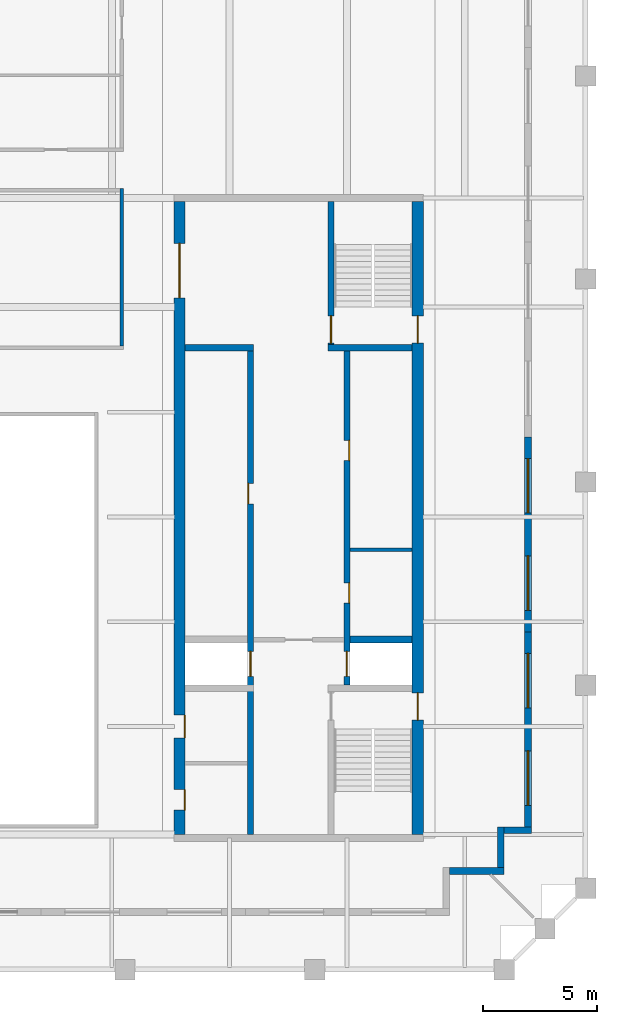
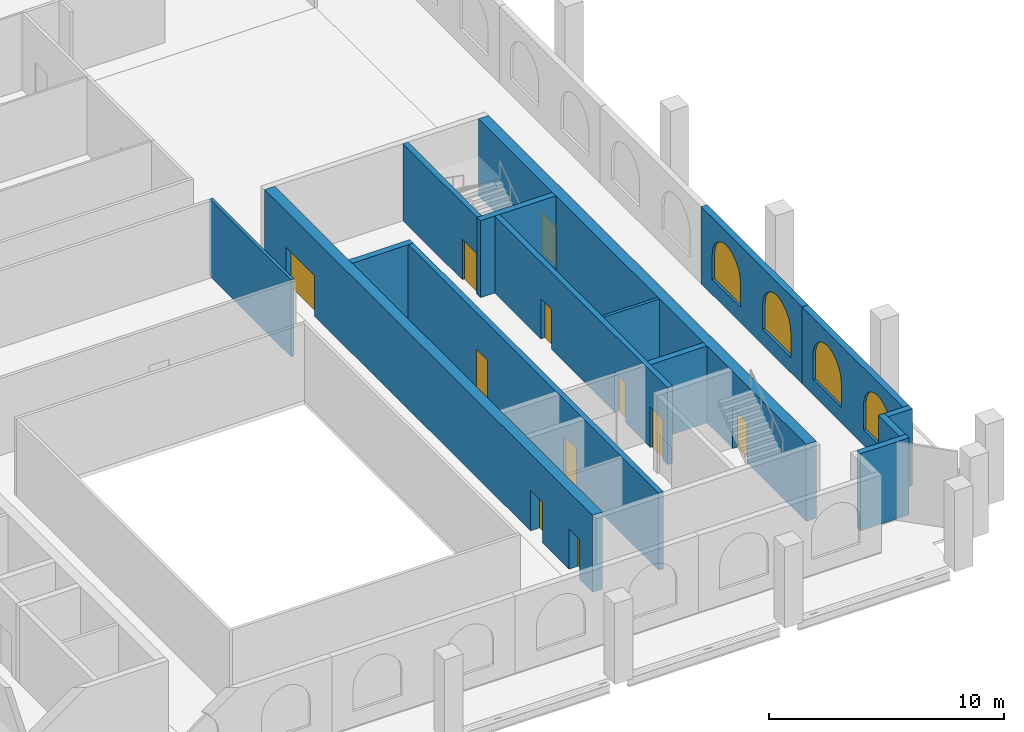
# One storey, part 5 of 9: 15 walls, 11 doors, 4 windows, 15 openings.
"""IFC4 building model written with IfcOpenShell, lengths in metres."""

from ifc_helpers import new_model, si_unit, direction, frame, frame_2d, origin, place, context, subcontext, project, spatial, polyline, rectangle, outline, extrude, material, layer, layer_set, type_object, element, fill, save


model = new_model("IFC4")

# Units and contexts
model_context = context("Model", 3, precision=1e-05, world=origin(), true_north=direction((0.0, 1.0)))
body_context = subcontext(model_context, "Body", "Model", "MODEL_VIEW")
ifc_project = project(units=[si_unit("LENGTHUNIT", "METRE"), si_unit("AREAUNIT", "SQUARE_METRE"), si_unit("VOLUMEUNIT", "CUBIC_METRE"), si_unit("PLANEANGLEUNIT", "RADIAN"), si_unit("MASSUNIT", "GRAM", prefix="KILO")], contexts=[model_context])

# Site, building, storey
site_placement = place(None, origin())
site = spatial("IfcSite", under=ifc_project, at=site_placement, CompositionType="ELEMENT")
building_placement = place(site_placement, origin())
building = spatial("IfcBuilding", under=site, at=building_placement, Name="Ogive Exchange Tower", CompositionType="ELEMENT")
storey_placement = place(building_placement, frame((0.0, 0.0, 373.199951171875)))
storey = spatial("IfcBuildingStorey", under=building, at=storey_placement, Name="C02", CompositionType="ELEMENT", Elevation=373.199951171875)

# Walls
ifc_material_1 = material(Name="Gypsum board partition")
ifc_layer_1 = layer(ifc_material_1, 0.14990234375)
ifc_layer_set_1 = layer_set([ifc_layer_1], Name="Core room partition 150 gypsum")
wall_type_1 = type_object("IfcWallType", Name="Core room partition 150 gypsum", PredefinedType="PARTITIONING", material=ifc_layer_set_1)
wall_1_placement = place(storey_placement, frame((18.25, 10.10009765625, 0.0), z_axis=(0.0, 0.0, 1.0), x_axis=(1.0, 0.0, 0.0)))
element("IfcWall", 1, at=wall_1_placement, inside=storey, type_object=wall_type_1, Name="E row A bay partition 1-1", PredefinedType="PARTITIONING", context=body_context, shape_type="SweptSolid", body=[
    extrude(rectangle(XDim=2.75, YDim=0.14990234375, at=frame_2d((1.375, 0.0))), origin(), (0.0, 0.0, 1.0), 4.0),
])
ifc_layer_2 = layer(ifc_material_1, 0.300048828125)
ifc_layer_set_2 = layer_set([ifc_layer_2], Name="Core room partition 300 gypsum")
wall_type_2 = type_object("IfcWallType", Name="Core room partition 300 gypsum", PredefinedType="PARTITIONING", material=ifc_layer_set_2)
wall_2_placement = place(storey_placement, frame((11.0, 19.0, 0.0), z_axis=(0.0, 0.0, 1.0), x_axis=(1.0, 0.0, 0.0)))
element("IfcWall", 2, at=wall_2_placement, inside=storey, type_object=wall_type_2, Name="E row B room end wall 7", PredefinedType="PARTITIONING", context=body_context, shape_type="SweptSolid", body=[
    extrude(rectangle(XDim=3.0, YDim=0.300048828125, at=frame_2d((1.5, 0.0))), origin(), (0.0, 0.0, 1.0), 4.0),
])
ifc_material_2 = material(Name="Fire partition EI 60 150")
ifc_layer_3 = layer(ifc_material_2, 0.14990234375)
ifc_layer_set_3 = layer_set([ifc_layer_3], Name="Fire partition EI 60 150")
wall_type_3 = type_object("IfcWallType", Name="Fire partition EI 60 150", PredefinedType="PARTITIONING", material=ifc_layer_set_3)
wall_3_placement = place(storey_placement, frame((8.199951171875, 19.074951171875, 0.0), z_axis=(0.0, 0.0, 1.0), x_axis=(0.0, 1.0, 0.0)))
element("IfcWall", 3, at=wall_3_placement, inside=storey, type_object=wall_type_3, Name="C02-PWL-026", PredefinedType="PARTITIONING", context=body_context, shape_type="SweptSolid", body=[
    extrude(rectangle(XDim=6.929931640625, YDim=0.14990234375, at=frame_2d((3.46484375, 0.0))), origin(), (0.0, 0.0, 1.0), 4.0),
])

# Wall, opening, door
ifc_material_3 = material(Name="Concrete C70/85", Category="concrete")
ifc_layer_4 = layer(ifc_material_3, 0.25)
ifc_layer_set_4 = layer_set([ifc_layer_4], Name="RC core wall 250 C70/85")
wall_type_4 = type_object("IfcWallType", Name="RC core wall 250 C70/85", PredefinedType="SHEAR", material=ifc_layer_set_4)
wall_4_placement = place(storey_placement, frame((17.425048828125, 19.14990234375, 0.0), z_axis=(0.0, 0.0, 1.0), x_axis=(0.0, 1.0, 0.0)))
wall_4 = element("IfcWall", 4, at=wall_4_placement, inside=storey, type_object=wall_type_4, Name="E stair N front wall", PredefinedType="SHEAR", context=body_context, shape_type="SweptSolid", body=[
    extrude(rectangle(XDim=6.300048828125, YDim=0.25, at=frame_2d((3.14990234375, 0.0))), origin(), (0.0, 0.0, 1.0), 4.0),
])
opening_1_placement = place(wall_4_placement, frame((0.050048828125, 0.0, 0.0)))
opening_1 = element("IfcOpeningElement", 5, at=opening_1_placement, cuts=wall_4, Name="Opening C02-C23", PredefinedType="OPENING", context=body_context, shape_type="SweptSolid", body=[
    extrude(rectangle(XDim=1.199951171875, YDim=2.10009765625, at=frame_2d((0.60009765625, 1.050048828125))), frame((0.0, 0.135009765625, 0.0), z_axis=(0.0, -1.0, 0.0), x_axis=(1.0, 0.0, 0.0)), (0.0, 0.0, 1.0), 0.27001953125),
])
ifc_material_4 = material(Name="Steel fire door", Category="steel")
door_type_1 = type_object("IfcDoorType", Name="Stair door FD90 1200 x 2100", OperationType="NOTDEFINED", PredefinedType="DOOR", material=ifc_material_4)
door_1_placement = place(opening_1_placement, frame((1.199951171875, 0.0, 0.0), z_axis=(0.0, 0.0, 1.0), x_axis=(-1.0, 0.0, 0.0)))
door_1 = element("IfcDoor", 6, at=door_1_placement, inside=storey, type_object=door_type_1, Name="Stair door", ObjectType="CD5", OperationType="SINGLE_SWING_LEFT", OverallHeight=2.10009765625, OverallWidth=1.199951171875, PredefinedType="DOOR", context=body_context, shape_type="SweptSolid", body=[
    extrude(rectangle(XDim=1.199951171875, YDim=2.10009765625, at=frame_2d((0.60009765625, 1.050048828125))), frame((0.0, 0.02490234375, 0.0), z_axis=(0.0, -1.0, 0.0), x_axis=(1.0, 0.0, 0.0)), (0.0, 0.0, 1.0), 0.050048828125),
])
fill(opening_1, door_1)

# Wall, openings, doors
wall_5_placement = place(storey_placement, frame((18.125, 4.14990234375, 0.0), z_axis=(0.0, 0.0, 1.0), x_axis=(0.0, 1.0, 0.0)))
wall_5 = element("IfcWall", 7, at=wall_5_placement, inside=storey, type_object=wall_type_4, Name="E row A front wall", PredefinedType="SHEAR", context=body_context, shape_type="SweptSolid", body=[
    extrude(rectangle(XDim=14.7001953125, YDim=0.25, at=frame_2d((7.35009765625, 0.0))), origin(), (0.0, 0.0, 1.0), 4.0),
])
opening_2_placement = place(wall_5_placement, frame((3.596435546875, 0.0, 0.0)))
opening_2 = element("IfcOpeningElement", 8, at=opening_2_placement, cuts=wall_5, Name="Opening C02-C14", PredefinedType="OPENING", context=body_context, shape_type="SweptSolid", body=[
    extrude(rectangle(XDim=0.89990234375, YDim=2.10009765625, at=frame_2d((0.449951171875, 1.050048828125))), frame((0.0, 0.135009765625, 0.0), z_axis=(0.0, -1.0, 0.0), x_axis=(1.0, 0.0, 0.0)), (0.0, 0.0, 1.0), 0.27001953125),
])
opening_3_placement = place(wall_5_placement, frame((9.875, 0.0, 0.0)))
opening_3 = element("IfcOpeningElement", 9, at=opening_3_placement, cuts=wall_5, Name="Opening C02-C15", PredefinedType="OPENING", context=body_context, shape_type="SweptSolid", body=[
    extrude(rectangle(XDim=0.89990234375, YDim=2.10009765625, at=frame_2d((0.449951171875, 1.050048828125))), frame((0.0, 0.135009765625, 0.0), z_axis=(0.0, -1.0, 0.0), x_axis=(1.0, 0.0, 0.0)), (0.0, 0.0, 1.0), 0.27001953125),
])
opening_4_placement = place(wall_5_placement, frame((0.371337890625, 0.0, 0.0)))
opening_4 = element("IfcOpeningElement", 10, at=opening_4_placement, cuts=wall_5, Name="Opening C02-C16", PredefinedType="OPENING", context=body_context, shape_type="SweptSolid", body=[
    extrude(rectangle(XDim=1.10009765625, YDim=2.10009765625, at=frame_2d((0.550048828125, 1.050048828125))), frame((0.0, 0.135009765625, 0.0), z_axis=(0.0, -1.0, 0.0), x_axis=(1.0, 0.0, 0.0)), (0.0, 0.0, 1.0), 0.27001953125),
])
ifc_material_5 = material(Name="Stainless steel", Category="steel")
door_type_2 = type_object("IfcDoorType", Name="Lift landing door FD90 1100 x 2100", OperationType="SLIDING_TO_LEFT", PredefinedType="DOOR", material=ifc_material_5)
door_2_placement = place(opening_4_placement, origin())
door_2 = element("IfcDoor", 11, at=door_2_placement, inside=storey, type_object=door_type_2, Name="Lift landing door FF2", ObjectType="LD", OperationType="SLIDING_TO_LEFT", OverallHeight=2.10009765625, OverallWidth=1.10009765625, PredefinedType="DOOR", context=body_context, shape_type="SweptSolid", body=[
    extrude(rectangle(XDim=1.10009765625, YDim=2.10009765625, at=frame_2d((0.550048828125, 1.050048828125))), frame((0.0, 0.02490234375, 0.0), z_axis=(0.0, -1.0, 0.0), x_axis=(1.0, 0.0, 0.0)), (0.0, 0.0, 1.0), 0.050048828125),
])
fill(opening_4, door_2)
door_type_3 = type_object("IfcDoorType", Name="Riser door FD60 900 x 2100", OperationType="NOTDEFINED", PredefinedType="DOOR", material=ifc_material_4)
door_3_placement = place(opening_2_placement, frame((0.89990234375, -0.2001953125, 0.0), z_axis=(0.0, 0.0, 1.0), x_axis=(-1.0, 0.0, 0.0)))
door_3 = element("IfcDoor", 12, at=door_3_placement, inside=storey, type_object=door_type_3, Name="Riser door", ObjectType="CD2", OperationType="SINGLE_SWING_LEFT", OverallHeight=2.10009765625, OverallWidth=0.89990234375, PredefinedType="DOOR", context=body_context, shape_type="SweptSolid", body=[
    extrude(rectangle(XDim=0.89990234375, YDim=2.10009765625, at=frame_2d((0.449951171875, 1.050048828125))), frame((0.0, -0.0751953125, 0.0), z_axis=(0.0, -1.0, 0.0), x_axis=(1.0, 0.0, 0.0)), (0.0, 0.0, 1.0), 0.050048828125),
])
fill(opening_2, door_3)
door_4_placement = place(opening_3_placement, frame((0.89990234375, -0.2001953125, 0.0), z_axis=(0.0, 0.0, 1.0), x_axis=(-1.0, 0.0, 0.0)))
door_4 = element("IfcDoor", 13, at=door_4_placement, inside=storey, type_object=door_type_3, Name="Riser door", ObjectType="CD2", OperationType="SINGLE_SWING_LEFT", OverallHeight=2.10009765625, OverallWidth=0.89990234375, PredefinedType="DOOR", context=body_context, shape_type="SweptSolid", body=[
    extrude(rectangle(XDim=0.89990234375, YDim=2.10009765625, at=frame_2d((0.449951171875, 1.050048828125))), frame((0.0, -0.0751953125, 0.0), z_axis=(0.0, -1.0, 0.0), x_axis=(1.0, 0.0, 0.0)), (0.0, 0.0, 1.0), 0.050048828125),
])
fill(opening_3, door_4)

wall_6_placement = place(storey_placement, frame((13.875, -2.449951171875, 0.0), z_axis=(0.0, 0.0, 1.0), x_axis=(0.0, 1.0, 0.0)))
wall_6 = element("IfcWall", 14, at=wall_6_placement, inside=storey, type_object=wall_type_4, Name="E row B front wall", PredefinedType="SHEAR", context=body_context, shape_type="SweptSolid", body=[
    extrude(rectangle(XDim=21.300048828125, YDim=0.25, at=frame_2d((10.64990234375, 0.0))), origin(), (0.0, 0.0, 1.0), 4.0),
])
opening_5_placement = place(wall_6_placement, frame((14.5712890625, 0.0, 0.0)))
opening_5 = element("IfcOpeningElement", 15, at=opening_5_placement, cuts=wall_6, Name="Opening C02-C17", PredefinedType="OPENING", context=body_context, shape_type="SweptSolid", body=[
    extrude(rectangle(XDim=0.89990234375, YDim=2.10009765625, at=frame_2d((0.449951171875, 1.050048828125))), frame((0.0, 0.135009765625, 0.0), z_axis=(0.0, -1.0, 0.0), x_axis=(1.0, 0.0, 0.0)), (0.0, 0.0, 1.0), 0.27001953125),
])
opening_6_placement = place(wall_6_placement, frame((6.971435546875, 0.0, 0.0)))
opening_6 = element("IfcOpeningElement", 16, at=opening_6_placement, cuts=wall_6, Name="Opening C02-C18", PredefinedType="OPENING", context=body_context, shape_type="SweptSolid", body=[
    extrude(rectangle(XDim=1.10009765625, YDim=2.10009765625, at=frame_2d((0.550048828125, 1.050048828125))), frame((0.0, 0.135009765625, 0.0), z_axis=(0.0, -1.0, 0.0), x_axis=(1.0, 0.0, 0.0)), (0.0, 0.0, 1.0), 0.27001953125),
])
door_5_placement = place(opening_6_placement, origin())
door_5 = element("IfcDoor", 17, at=door_5_placement, inside=storey, type_object=door_type_2, Name="Lift landing door SV2", ObjectType="LD", OperationType="SLIDING_TO_LEFT", OverallHeight=2.10009765625, OverallWidth=1.10009765625, PredefinedType="DOOR", context=body_context, shape_type="SweptSolid", body=[
    extrude(rectangle(XDim=1.10009765625, YDim=2.10009765625, at=frame_2d((0.550048828125, 1.050048828125))), frame((0.0, 0.02490234375, 0.0), z_axis=(0.0, -1.0, 0.0), x_axis=(1.0, 0.0, 0.0)), (0.0, 0.0, 1.0), 0.050048828125),
])
fill(opening_6, door_5)
door_6_placement = place(opening_5_placement, origin())
door_6 = element("IfcDoor", 18, at=door_6_placement, inside=storey, type_object=door_type_3, Name="Riser door", ObjectType="CD2", OperationType="SINGLE_SWING_RIGHT", OverallHeight=2.10009765625, OverallWidth=0.89990234375, PredefinedType="DOOR", context=body_context, shape_type="SweptSolid", body=[
    extrude(rectangle(XDim=0.89990234375, YDim=2.10009765625, at=frame_2d((0.449951171875, 1.050048828125))), frame((0.0, 0.125, 0.0), z_axis=(0.0, -1.0, 0.0), x_axis=(1.0, 0.0, 0.0)), (0.0, 0.0, 1.0), 0.050048828125),
])
fill(opening_5, door_6)

# Walls
ifc_layer_5 = layer(ifc_material_3, 0.300048828125)
ifc_layer_set_5 = layer_set([ifc_layer_5], Name="RC core wall 300 C70/85")
wall_type_5 = type_object("IfcWallType", Name="RC core wall 300 C70/85", PredefinedType="SHEAR", material=ifc_layer_set_5)
wall_7_placement = place(storey_placement, frame((17.300048828125, 19.0, 0.0), z_axis=(0.0, 0.0, 1.0), x_axis=(1.0, 0.0, 0.0)))
element("IfcWall", 19, at=wall_7_placement, inside=storey, type_object=wall_type_5, Name="E stair N south wall", PredefinedType="SHEAR", context=body_context, shape_type="SweptSolid", body=[
    extrude(rectangle(XDim=3.699951171875, YDim=0.300048828125, at=frame_2d((1.85009765625, 0.0))), origin(), (0.0, 0.0, 1.0), 4.0),
])
wall_8_placement = place(storey_placement, frame((18.25, 6.142822265625, 0.0), z_axis=(0.0, 0.0, 1.0), x_axis=(1.0, 0.0, 0.0)))
element("IfcWall", 20, at=wall_8_placement, inside=storey, type_object=wall_type_5, Name="E row A divider 1", PredefinedType="SHEAR", context=body_context, shape_type="SweptSolid", body=[
    extrude(rectangle(XDim=2.75, YDim=0.300048828125, at=frame_2d((1.375, 0.0))), origin(), (0.0, 0.0, 1.0), 4.0),
])

# Wall, openings, doors
ifc_layer_6 = layer(ifc_material_3, 0.5)
ifc_layer_set_6 = layer_set([ifc_layer_6], Name="RC core wall 500 C70/85")
wall_type_6 = type_object("IfcWallType", Name="RC core wall 500 C70/85", PredefinedType="SHEAR", material=ifc_layer_set_6)
wall_9_placement = place(storey_placement, frame((21.25, -2.449951171875, 0.0), z_axis=(0.0, 0.0, 1.0), x_axis=(0.0, 1.0, 0.0)))
wall_9 = element("IfcWall", 21, at=wall_9_placement, inside=storey, type_object=wall_type_6, Name="E outer wall", PredefinedType="SHEAR", context=body_context, shape_type="SweptSolid", body=[
    extrude(rectangle(XDim=27.89990234375, YDim=0.5, at=frame_2d((13.949951171875, 0.0))), origin(), (0.0, 0.0, 1.0), 4.0),
])
opening_7_placement = place(wall_9_placement, frame((5.050048828125, 0.0, 0.0)))
opening_7 = element("IfcOpeningElement", 22, at=opening_7_placement, cuts=wall_9, Name="Opening C02-C22", PredefinedType="OPENING", context=body_context, shape_type="SweptSolid", body=[
    extrude(rectangle(XDim=1.199951171875, YDim=2.10009765625, at=frame_2d((0.60009765625, 1.050048828125))), frame((0.0, 0.260009765625, 0.0), z_axis=(0.0, -1.0, 0.0), x_axis=(1.0, 0.0, 0.0)), (0.0, 0.0, 1.0), 0.52001953125),
])
opening_8_placement = place(wall_9_placement, frame((21.64990234375, 0.0, 0.0)))
opening_8 = element("IfcOpeningElement", 23, at=opening_8_placement, cuts=wall_9, Name="Opening C02-C24", PredefinedType="OPENING", context=body_context, shape_type="SweptSolid", body=[
    extrude(rectangle(XDim=1.199951171875, YDim=2.10009765625, at=frame_2d((0.60009765625, 1.050048828125))), frame((0.0, 0.260009765625, 0.0), z_axis=(0.0, -1.0, 0.0), x_axis=(1.0, 0.0, 0.0)), (0.0, 0.0, 1.0), 0.52001953125),
])
door_7_placement = place(opening_7_placement, frame((1.199951171875, 0.0, 0.0), z_axis=(0.0, 0.0, 1.0), x_axis=(-1.0, 0.0, 0.0)))
door_7 = element("IfcDoor", 24, at=door_7_placement, inside=storey, type_object=door_type_1, Name="Stair door", ObjectType="CD5", OperationType="SINGLE_SWING_LEFT", OverallHeight=2.10009765625, OverallWidth=1.199951171875, PredefinedType="DOOR", context=body_context, shape_type="SweptSolid", body=[
    extrude(rectangle(XDim=1.199951171875, YDim=2.10009765625, at=frame_2d((0.60009765625, 1.050048828125))), frame((0.0, 0.02490234375, 0.0), z_axis=(0.0, -1.0, 0.0), x_axis=(1.0, 0.0, 0.0)), (0.0, 0.0, 1.0), 0.050048828125),
])
fill(opening_7, door_7)
door_8_placement = place(opening_8_placement, frame((1.199951171875, 0.0, 0.0), z_axis=(0.0, 0.0, 1.0), x_axis=(-1.0, 0.0, 0.0)))
door_8 = element("IfcDoor", 25, at=door_8_placement, inside=storey, type_object=door_type_1, Name="Stair door", ObjectType="CD5", OperationType="SINGLE_SWING_RIGHT", OverallHeight=2.10009765625, OverallWidth=1.199951171875, PredefinedType="DOOR", context=body_context, shape_type="SweptSolid", body=[
    extrude(rectangle(XDim=1.199951171875, YDim=2.10009765625, at=frame_2d((0.60009765625, 1.050048828125))), frame((0.0, 0.02490234375, 0.0), z_axis=(0.0, -1.0, 0.0), x_axis=(1.0, 0.0, 0.0)), (0.0, 0.0, 1.0), 0.050048828125),
])
fill(opening_8, door_8)

wall_10_placement = place(storey_placement, frame((10.75, -2.449951171875, 0.0), z_axis=(0.0, 0.0, 1.0), x_axis=(0.0, 1.0, 0.0)))
wall_10 = element("IfcWall", 26, at=wall_10_placement, inside=storey, type_object=wall_type_6, Name="E inner wall", PredefinedType="SHEAR", context=body_context, shape_type="SweptSolid", body=[
    extrude(rectangle(XDim=27.89990234375, YDim=0.5, at=frame_2d((13.949951171875, 0.0))), origin(), (0.0, 0.0, 1.0), 4.0),
])
opening_9_placement = place(wall_10_placement, frame((23.64990234375, 0.0, 0.0)))
opening_9 = element("IfcOpeningElement", 27, at=opening_9_placement, cuts=wall_10, Name="Opening C02-C20", PredefinedType="OPENING", context=body_context, shape_type="SweptSolid", body=[
    extrude(rectangle(XDim=2.39990234375, YDim=2.10009765625, at=frame_2d((1.199951171875, 1.050048828125))), frame((0.0, 0.260009765625, 0.0), z_axis=(0.0, -1.0, 0.0), x_axis=(1.0, 0.0, 0.0)), (0.0, 0.0, 1.0), 0.52001953125),
])
opening_10_placement = place(wall_10_placement, frame((1.08740234375, 0.0, 0.0)))
opening_10 = element("IfcOpeningElement", 28, at=opening_10_placement, cuts=wall_10, Name="Opening C02-C25", PredefinedType="OPENING", context=body_context, shape_type="SweptSolid", body=[
    extrude(rectangle(XDim=0.89990234375, YDim=2.10009765625, at=frame_2d((0.449951171875, 1.050048828125))), frame((0.0, 0.260009765625, 0.0), z_axis=(0.0, -1.0, 0.0), x_axis=(1.0, 0.0, 0.0)), (0.0, 0.0, 1.0), 0.52001953125),
])
opening_11_placement = place(wall_10_placement, frame((4.262451171875, 0.0, 0.0)))
opening_11 = element("IfcOpeningElement", 29, at=opening_11_placement, cuts=wall_10, Name="Opening C02-C26", PredefinedType="OPENING", context=body_context, shape_type="SweptSolid", body=[
    extrude(rectangle(XDim=1.0, YDim=2.10009765625, at=frame_2d((0.5, 1.050048828125))), frame((0.0, 0.260009765625, 0.0), z_axis=(0.0, -1.0, 0.0), x_axis=(1.0, 0.0, 0.0)), (0.0, 0.0, 1.0), 0.52001953125),
])
ifc_material_6 = material(Name="Timber fire door", Category="wood")
door_type_4 = type_object("IfcDoorType", Name="Accessible WC door FD30S 1000 x 2100", OperationType="NOTDEFINED", PredefinedType="DOOR", material=ifc_material_6)
door_9_placement = place(opening_11_placement, origin())
door_9 = element("IfcDoor", 30, at=door_9_placement, inside=storey, type_object=door_type_4, Name="Accessible WC door", ObjectType="CD7", OperationType="SINGLE_SWING_LEFT", OverallHeight=2.10009765625, OverallWidth=1.0, PredefinedType="DOOR", context=body_context, shape_type="SweptSolid", body=[
    extrude(rectangle(XDim=1.0, YDim=2.10009765625, at=frame_2d((0.5, 1.050048828125))), frame((0.0, -0.2001953125, 0.0), z_axis=(0.0, -1.0, 0.0), x_axis=(1.0, 0.0, 0.0)), (0.0, 0.0, 1.0), 0.050048828125),
])
fill(opening_11, door_9)
door_type_5 = type_object("IfcDoorType", Name="Core room door FD30S 900 x 2100", OperationType="NOTDEFINED", PredefinedType="DOOR", material=ifc_material_6)
door_10_placement = place(opening_10_placement, origin())
door_10 = element("IfcDoor", 31, at=door_10_placement, inside=storey, type_object=door_type_5, Name="Core room door", ObjectType="CD6", OperationType="SINGLE_SWING_LEFT", OverallHeight=2.10009765625, OverallWidth=0.89990234375, PredefinedType="DOOR", context=body_context, shape_type="SweptSolid", body=[
    extrude(rectangle(XDim=0.89990234375, YDim=2.10009765625, at=frame_2d((0.449951171875, 1.050048828125))), frame((0.0, -0.2001953125, 0.0), z_axis=(0.0, -1.0, 0.0), x_axis=(1.0, 0.0, 0.0)), (0.0, 0.0, 1.0), 0.050048828125),
])
fill(opening_10, door_10)
ifc_material_7 = material(Name="Glazed steel fire door", Category="steel")
door_type_6 = type_object("IfcDoorType", Name="Lift lobby double door FD60 2400 x 2100", OperationType="DOUBLE_DOOR_SINGLE_SWING", PredefinedType="DOOR", material=ifc_material_7)
door_11_placement = place(opening_9_placement, origin())
door_11 = element("IfcDoor", 32, at=door_11_placement, inside=storey, type_object=door_type_6, Name="Lift lobby double door", ObjectType="CD4", OperationType="DOUBLE_DOOR_SINGLE_SWING", OverallHeight=2.10009765625, OverallWidth=2.39990234375, PredefinedType="DOOR", context=body_context, shape_type="SweptSolid", body=[
    extrude(rectangle(XDim=2.39990234375, YDim=2.10009765625, at=frame_2d((1.199951171875, 1.050048828125))), frame((0.0, 0.02490234375, 0.0), z_axis=(0.0, -1.0, 0.0), x_axis=(1.0, 0.0, 0.0)), (0.0, 0.0, 1.0), 0.050048828125),
])
fill(opening_9, door_11)

# Walls
ifc_material_8 = material(Name="Precast concrete C40/50", Category="concrete")
ifc_layer_7 = layer(ifc_material_8, 0.300048828125)
ifc_layer_set_7 = layer_set([ifc_layer_7], Name="Zinc-clad crown wall 300")
wall_type_7 = type_object("IfcWallType", Name="Zinc-clad crown wall 300", PredefinedType="STANDARD", material=ifc_layer_set_7)
wall_11_placement = place(storey_placement, frame((22.64990234375, -4.050048828125, 0.0), z_axis=(0.0, 0.0, 1.0), x_axis=(1.0, 0.0, 0.0)))
element("IfcWall", 33, at=wall_11_placement, inside=storey, type_object=wall_type_7, Name="Crown wall 10", PredefinedType="STANDARD", context=body_context, shape_type="SweptSolid", body=[
    extrude(rectangle(XDim=2.400146484375, YDim=0.300048828125, at=frame_2d((1.2001953125, 0.0))), origin(), (0.0, 0.0, 1.0), 4.0),
])
wall_12_placement = place(storey_placement, frame((24.89990234375, -3.89990234375, 0.0), z_axis=(0.0, 0.0, 1.0), x_axis=(0.0, 1.0, 0.0)))
element("IfcWall", 34, at=wall_12_placement, inside=storey, type_object=wall_type_7, Name="Crown wall 11", PredefinedType="STANDARD", context=body_context, shape_type="SweptSolid", body=[
    extrude(rectangle(XDim=1.7998046875, YDim=0.300048828125, at=frame_2d((0.89990234375, 0.0))), origin(), (0.0, 0.0, 1.0), 4.0),
])
wall_13_placement = place(storey_placement, frame((25.050048828125, -2.25, 0.0), z_axis=(0.0, 0.0, 1.0), x_axis=(1.0, 0.0, 0.0)))
element("IfcWall", 35, at=wall_13_placement, inside=storey, type_object=wall_type_7, Name="Crown wall 12", PredefinedType="STANDARD", context=body_context, shape_type="SweptSolid", body=[
    extrude(rectangle(XDim=1.199951171875, YDim=0.300048828125, at=frame_2d((0.60009765625, 0.0))), origin(), (0.0, 0.0, 1.0), 4.0),
])

# Wall, openings, windows
wall_14_placement = place(storey_placement, frame((26.10009765625, -2.10009765625, 0.0), z_axis=(0.0, 0.0, 1.0), x_axis=(0.0, 1.0, 0.0)))
wall_14 = element("IfcWall", 36, at=wall_14_placement, inside=storey, type_object=wall_type_7, Name="Crown wall 13", PredefinedType="STANDARD", context=body_context, shape_type="SweptSolid", body=[
    extrude(rectangle(XDim=8.58349609375, YDim=0.300048828125, at=frame_2d((4.291748046875, 0.0))), origin(), (0.0, 0.0, 1.0), 4.0),
])
opening_12_placement = place(wall_14_placement, frame((0.94580078125, 0.0, 0.800048828125)))
opening_12 = element("IfcOpeningElement", 37, at=opening_12_placement, cuts=wall_14, Name="Opening WC25", PredefinedType="OPENING", context=body_context, shape_type="SweptSolid", body=[
    extrude(outline(polyline([(0.0, 0.0), (2.39990234375, 0.0), (2.39990234375, 1.25), (2.377197265625, 1.48779296875), (2.3095703125, 1.717041015625), (2.19970703125, 1.928955078125), (2.05126953125, 2.116455078125), (1.8701171875, 2.272216796875), (1.662841796875, 2.390625), (1.4365234375, 2.467529296875), (1.199951171875, 2.5), (0.96337890625, 2.467529296875), (0.737060546875, 2.390625), (0.52978515625, 2.272216796875), (0.3486328125, 2.116455078125), (0.2001953125, 1.928955078125), (0.09033203125, 1.717041015625), (0.022705078125, 1.48779296875), (0.0, 1.25), (0.0, 0.0)])), frame((0.0, 0.159912109375, 0.0), z_axis=(0.0, -1.0, 0.0), x_axis=(1.0, 0.0, 0.0)), (0.0, 0.0, 1.0), 0.320068359375),
])
opening_13_placement = place(wall_14_placement, frame((5.237548828125, 0.0, 0.800048828125)))
opening_13 = element("IfcOpeningElement", 38, at=opening_13_placement, cuts=wall_14, Name="Opening WC25", PredefinedType="OPENING", context=body_context, shape_type="SweptSolid", body=[
    extrude(outline(polyline([(0.0, 0.0), (2.39990234375, 0.0), (2.39990234375, 1.25), (2.377197265625, 1.48779296875), (2.3095703125, 1.717041015625), (2.19970703125, 1.928955078125), (2.05126953125, 2.116455078125), (1.8701171875, 2.272216796875), (1.662841796875, 2.390625), (1.4365234375, 2.467529296875), (1.199951171875, 2.5), (0.96337890625, 2.467529296875), (0.737060546875, 2.390625), (0.52978515625, 2.272216796875), (0.3486328125, 2.116455078125), (0.2001953125, 1.928955078125), (0.09033203125, 1.717041015625), (0.022705078125, 1.48779296875), (0.0, 1.25), (0.0, 0.0)])), frame((0.0, 0.159912109375, 0.0), z_axis=(0.0, -1.0, 0.0), x_axis=(1.0, 0.0, 0.0)), (0.0, 0.0, 1.0), 0.320068359375),
])
ifc_material_9 = material(Name="Clear glass in bronze frame", Category="glass")
window_type = type_object("IfcWindowType", Name="Crown lancet window 2400 x 2500", PartitioningType="DOUBLE_PANEL_VERTICAL", PredefinedType="WINDOW", material=ifc_material_9)
window_1_placement = place(opening_12_placement, origin())
window_1 = element("IfcWindow", 39, at=window_1_placement, inside=storey, type_object=window_type, Name="Crown lancet 13.1", OverallHeight=2.5, OverallWidth=2.39990234375, PartitioningType="DOUBLE_PANEL_VERTICAL", PredefinedType="WINDOW", context=body_context, shape_type="SweptSolid", body=[
    extrude(outline(polyline([(0.0, 0.0), (2.39990234375, 0.0), (2.39990234375, 1.25), (2.377197265625, 1.48779296875), (2.3095703125, 1.717041015625), (2.19970703125, 1.928955078125), (2.05126953125, 2.116455078125), (1.8701171875, 2.272216796875), (1.662841796875, 2.390625), (1.4365234375, 2.467529296875), (1.199951171875, 2.5), (0.96337890625, 2.467529296875), (0.737060546875, 2.390625), (0.52978515625, 2.272216796875), (0.3486328125, 2.116455078125), (0.2001953125, 1.928955078125), (0.09033203125, 1.717041015625), (0.022705078125, 1.48779296875), (0.0, 1.25), (0.0, 0.0)])), frame((0.0, 0.030029296875, 0.0), z_axis=(0.0, -1.0, 0.0), x_axis=(1.0, 0.0, 0.0)), (0.0, 0.0, 1.0), 0.06005859375),
])
fill(opening_12, window_1)
window_2_placement = place(opening_13_placement, origin())
window_2 = element("IfcWindow", 40, at=window_2_placement, inside=storey, type_object=window_type, Name="Crown lancet 13.2", OverallHeight=2.5, OverallWidth=2.39990234375, PartitioningType="DOUBLE_PANEL_VERTICAL", PredefinedType="WINDOW", context=body_context, shape_type="SweptSolid", body=[
    extrude(outline(polyline([(0.0, 0.0), (2.39990234375, 0.0), (2.39990234375, 1.25), (2.377197265625, 1.48779296875), (2.3095703125, 1.717041015625), (2.19970703125, 1.928955078125), (2.05126953125, 2.116455078125), (1.8701171875, 2.272216796875), (1.662841796875, 2.390625), (1.4365234375, 2.467529296875), (1.199951171875, 2.5), (0.96337890625, 2.467529296875), (0.737060546875, 2.390625), (0.52978515625, 2.272216796875), (0.3486328125, 2.116455078125), (0.2001953125, 1.928955078125), (0.09033203125, 1.717041015625), (0.022705078125, 1.48779296875), (0.0, 1.25), (0.0, 0.0)])), frame((0.0, 0.030029296875, 0.0), z_axis=(0.0, -1.0, 0.0), x_axis=(1.0, 0.0, 0.0)), (0.0, 0.0, 1.0), 0.06005859375),
])
fill(opening_13, window_2)

wall_15_placement = place(storey_placement, frame((26.10009765625, 6.4833984375, 0.0), z_axis=(0.0, 0.0, 1.0), x_axis=(0.0, 1.0, 0.0)))
wall_15 = element("IfcWall", 41, at=wall_15_placement, inside=storey, type_object=wall_type_7, Name="Crown wall 14", PredefinedType="STANDARD", context=body_context, shape_type="SweptSolid", body=[
    extrude(rectangle(XDim=8.583251953125, YDim=0.300048828125, at=frame_2d((4.29150390625, 0.0))), origin(), (0.0, 0.0, 1.0), 4.0),
])
opening_14_placement = place(wall_15_placement, frame((0.94580078125, 0.0, 0.800048828125)))
opening_14 = element("IfcOpeningElement", 42, at=opening_14_placement, cuts=wall_15, Name="Opening WC25", PredefinedType="OPENING", context=body_context, shape_type="SweptSolid", body=[
    extrude(outline(polyline([(0.0, 0.0), (2.39990234375, 0.0), (2.39990234375, 1.25), (2.377197265625, 1.48779296875), (2.3095703125, 1.717041015625), (2.19970703125, 1.928955078125), (2.05126953125, 2.116455078125), (1.8701171875, 2.272216796875), (1.662841796875, 2.390625), (1.4365234375, 2.467529296875), (1.199951171875, 2.5), (0.96337890625, 2.467529296875), (0.737060546875, 2.390625), (0.52978515625, 2.272216796875), (0.3486328125, 2.116455078125), (0.2001953125, 1.928955078125), (0.09033203125, 1.717041015625), (0.022705078125, 1.48779296875), (0.0, 1.25), (0.0, 0.0)])), frame((0.0, 0.159912109375, 0.0), z_axis=(0.0, -1.0, 0.0), x_axis=(1.0, 0.0, 0.0)), (0.0, 0.0, 1.0), 0.320068359375),
])
opening_15_placement = place(wall_15_placement, frame((5.237548828125, 0.0, 0.800048828125)))
opening_15 = element("IfcOpeningElement", 43, at=opening_15_placement, cuts=wall_15, Name="Opening WC25", PredefinedType="OPENING", context=body_context, shape_type="SweptSolid", body=[
    extrude(outline(polyline([(0.0, 0.0), (2.39990234375, 0.0), (2.39990234375, 1.25), (2.377197265625, 1.48779296875), (2.3095703125, 1.717041015625), (2.19970703125, 1.928955078125), (2.05126953125, 2.116455078125), (1.8701171875, 2.272216796875), (1.662841796875, 2.390625), (1.4365234375, 2.467529296875), (1.199951171875, 2.5), (0.96337890625, 2.467529296875), (0.737060546875, 2.390625), (0.52978515625, 2.272216796875), (0.3486328125, 2.116455078125), (0.2001953125, 1.928955078125), (0.09033203125, 1.717041015625), (0.022705078125, 1.48779296875), (0.0, 1.25), (0.0, 0.0)])), frame((0.0, 0.159912109375, 0.0), z_axis=(0.0, -1.0, 0.0), x_axis=(1.0, 0.0, 0.0)), (0.0, 0.0, 1.0), 0.320068359375),
])
window_3_placement = place(opening_14_placement, origin())
window_3 = element("IfcWindow", 44, at=window_3_placement, inside=storey, type_object=window_type, Name="Crown lancet 14.1", OverallHeight=2.5, OverallWidth=2.39990234375, PartitioningType="DOUBLE_PANEL_VERTICAL", PredefinedType="WINDOW", context=body_context, shape_type="SweptSolid", body=[
    extrude(outline(polyline([(0.0, 0.0), (2.39990234375, 0.0), (2.39990234375, 1.25), (2.377197265625, 1.48779296875), (2.3095703125, 1.717041015625), (2.19970703125, 1.928955078125), (2.05126953125, 2.116455078125), (1.8701171875, 2.272216796875), (1.662841796875, 2.390625), (1.4365234375, 2.467529296875), (1.199951171875, 2.5), (0.96337890625, 2.467529296875), (0.737060546875, 2.390625), (0.52978515625, 2.272216796875), (0.3486328125, 2.116455078125), (0.2001953125, 1.928955078125), (0.09033203125, 1.717041015625), (0.022705078125, 1.48779296875), (0.0, 1.25), (0.0, 0.0)])), frame((0.0, 0.030029296875, 0.0), z_axis=(0.0, -1.0, 0.0), x_axis=(1.0, 0.0, 0.0)), (0.0, 0.0, 1.0), 0.06005859375),
])
fill(opening_14, window_3)
window_4_placement = place(opening_15_placement, origin())
window_4 = element("IfcWindow", 45, at=window_4_placement, inside=storey, type_object=window_type, Name="Crown lancet 14.2", OverallHeight=2.5, OverallWidth=2.39990234375, PartitioningType="DOUBLE_PANEL_VERTICAL", PredefinedType="WINDOW", context=body_context, shape_type="SweptSolid", body=[
    extrude(outline(polyline([(0.0, 0.0), (2.39990234375, 0.0), (2.39990234375, 1.25), (2.377197265625, 1.48779296875), (2.3095703125, 1.717041015625), (2.19970703125, 1.928955078125), (2.05126953125, 2.116455078125), (1.8701171875, 2.272216796875), (1.662841796875, 2.390625), (1.4365234375, 2.467529296875), (1.199951171875, 2.5), (0.96337890625, 2.467529296875), (0.737060546875, 2.390625), (0.52978515625, 2.272216796875), (0.3486328125, 2.116455078125), (0.2001953125, 1.928955078125), (0.09033203125, 1.717041015625), (0.022705078125, 1.48779296875), (0.0, 1.25), (0.0, 0.0)])), frame((0.0, 0.030029296875, 0.0), z_axis=(0.0, -1.0, 0.0), x_axis=(1.0, 0.0, 0.0)), (0.0, 0.0, 1.0), 0.06005859375),
])
fill(opening_15, window_4)

save(model, "model.ifc")
